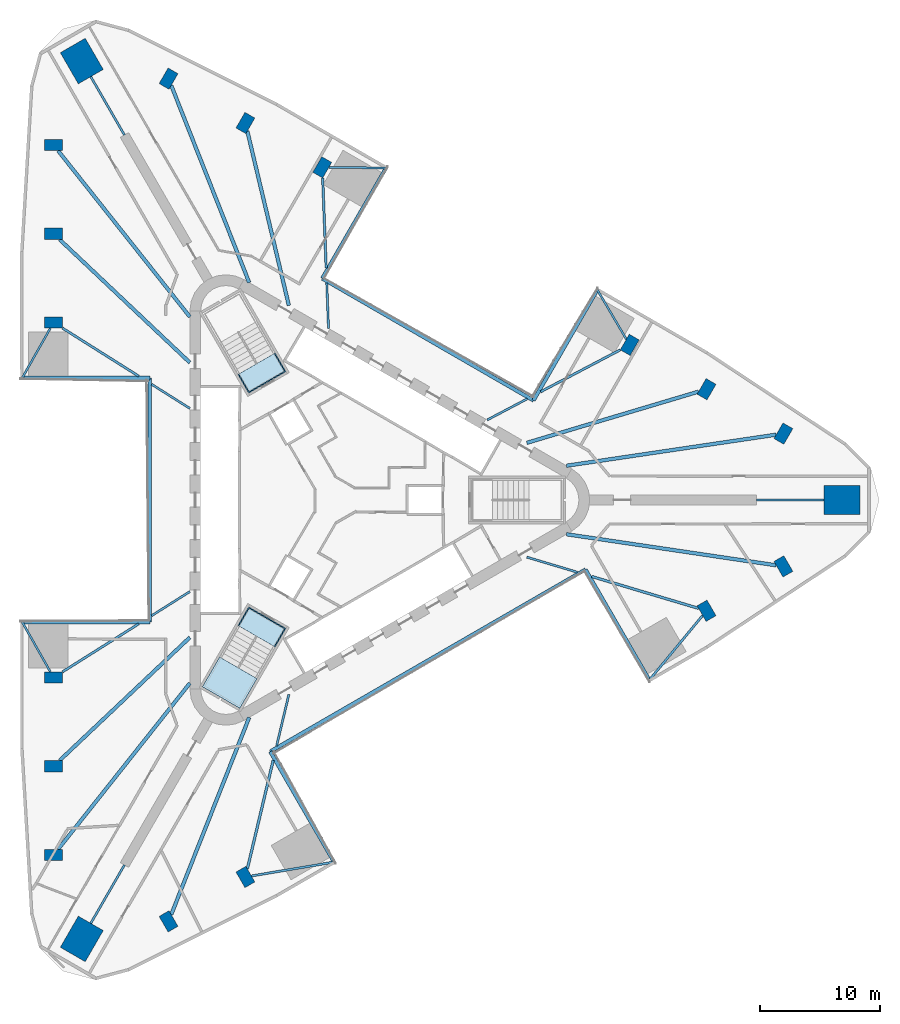
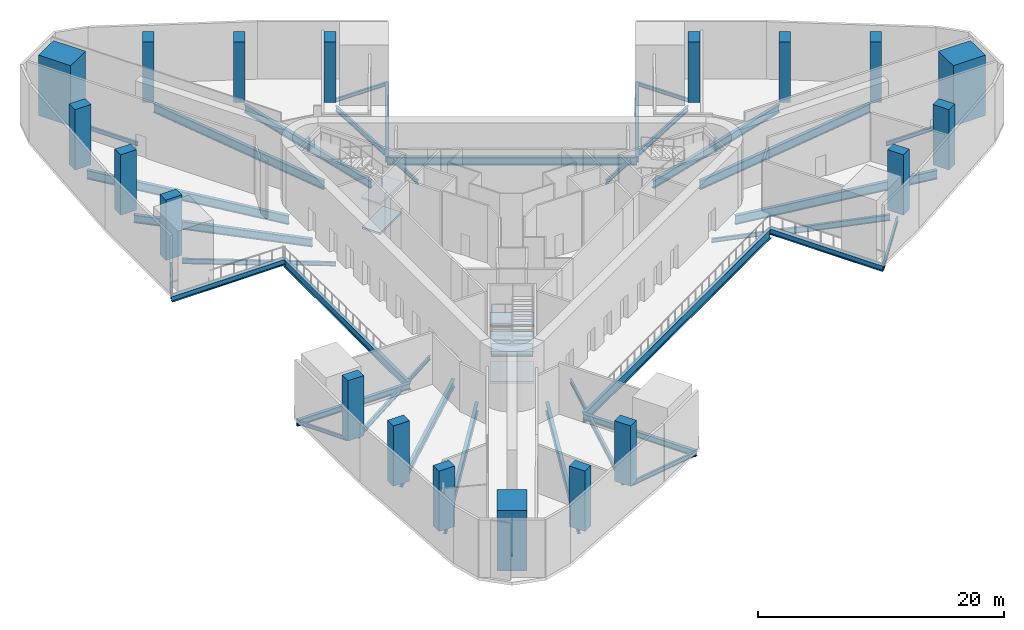
# One storey, part 1 of 11: 40 beams, 19 columns, 6 slabs, 2 elements without a shape of their own.
"""IFC4 building model written with IfcOpenShell, lengths in metres."""

from ifc_helpers import new_model, si_unit, direction, frame, origin, origin_2d, place, context, subcontext, project, spatial, polyline, rectangle, i_section, outline, extrude, material, layer, layer_set, material_profile, profile_set, type_object, element, aggregate, save


model = new_model("IFC4")

# Units and contexts
model_context = context("Model", 3, precision=1e-05, world=origin(), true_north=direction((0.0, 1.0)))
body_context = subcontext(model_context, "Body", "Model", "MODEL_VIEW")
ifc_project = project(units=[si_unit("LENGTHUNIT", "METRE"), si_unit("AREAUNIT", "SQUARE_METRE"), si_unit("VOLUMEUNIT", "CUBIC_METRE"), si_unit("PLANEANGLEUNIT", "RADIAN"), si_unit("MASSUNIT", "GRAM", prefix="KILO")], contexts=[model_context])

# Site, building, storey
site_placement = place(None, origin())
site = spatial("IfcSite", under=ifc_project, at=site_placement, CompositionType="ELEMENT")
building_placement = place(site_placement, origin())
building = spatial("IfcBuilding", under=site, at=building_placement, Name="Tanit Gate Tower", CompositionType="ELEMENT")
storey_placement = place(building_placement, frame((0.0, 0.0, 21.5)))
storey = spatial("IfcBuildingStorey", under=building, at=storey_placement, Name="L03", CompositionType="ELEMENT", Elevation=21.5)

# Columns
ifc_material_1 = material(Name="Concrete C80/95", Category="concrete")
ifc_material_profile_1 = material_profile(ifc_material_1, rectangle(XDim=3.0, YDim=2.39990234375, at=origin_2d()), Name="RC 3000x2400")
ifc_profile_set_1 = profile_set([ifc_material_profile_1], Name="Concrete C80/95")
column_type_1 = type_object("IfcColumnType", Name="MEGA COLUMN 3000x2400 C80/95", PredefinedType="COLUMN", material=ifc_profile_set_1)
for number, where, z_axis, x_axis, name in (
    (1, (42.211181640625, 0.0, 0.0), (0.0, 0.0, 1.0), (1.0, 0.0, 0.0), "MEGA COLUMN"),
    (2, (-21.105712890625, 36.555908203125, 0.0), (0.0, 0.0, 1.0), (-0.5, 0.866025403784, 0.0), "MEGA COLUMN"),
    (3, (-21.105712890625, -36.555908203125, 0.0), (0.0, 0.0, 1.0), (-0.5, -0.866025403784, 0.0), "MEGA COLUMN"),
):
    element("IfcColumn", number, at=place(storey_placement, frame(where, z_axis=z_axis, x_axis=x_axis)), inside=storey, type_object=column_type_1, Name=name, PredefinedType="COLUMN", context=body_context, shape_type="SweptSolid", body=[
        extrude(rectangle(XDim=3.0, YDim=2.39990234375, at=origin_2d()), origin(), (0.0, 0.0, 1.0), 6.0),
    ])
ifc_material_2 = material(Name="Concrete C70/85", Category="concrete")
ifc_material_profile_2 = material_profile(ifc_material_2, rectangle(XDim=1.5, YDim=0.949951171875, at=origin_2d()), Name="RC 1500x950")
ifc_profile_set_2 = profile_set([ifc_material_profile_2], Name="Concrete C70/85")
column_type_2 = type_object("IfcColumnType", Name="PERIMETER COLUMN 1500x950 C70/85", PredefinedType="COLUMN", material=ifc_profile_set_2)
for number, where, z_axis, x_axis, name in (
    (4, (-23.453369140625, 29.56591796875, 0.0), (0.0, 0.0, 1.0), (-1.0, 0.0, 0.0), "PERIMETER COLUMN"),
    (5, (-23.453369140625, 22.17431640625, 0.0), (0.0, 0.0, 1.0), (-1.0, 0.0, 0.0), "PERIMETER COLUMN"),
    (6, (-23.453369140625, 14.782958984375, 0.0), (0.0, 0.0, 1.0), (-1.0, 0.0, 0.0), "PERIMETER COLUMN"),
    (7, (-23.453369140625, -14.782958984375, 0.0), (0.0, 0.0, 1.0), (-1.0, 0.0, 0.0), "PERIMETER COLUMN"),
    (8, (-23.453369140625, -22.17431640625, 0.0), (0.0, 0.0, 1.0), (-1.0, 0.0, 0.0), "PERIMETER COLUMN"),
    (9, (-23.453369140625, -29.56591796875, 0.0), (0.0, 0.0, 1.0), (-1.0, 0.0, 0.0), "PERIMETER COLUMN"),
    (10, (37.331298828125, 5.5283203125, 0.0), (0.0, 0.0, 1.0), (0.5, 0.866025403784, 0.0), "PERIMETER COLUMN"),
    (11, (30.930419921875, 9.22412109375, 0.0), (0.0, 0.0, 1.0), (0.5, 0.866025403784, 0.0), "PERIMETER COLUMN"),
    (12, (24.529052734375, 12.919921875, 0.0), (0.0, 0.0, 1.0), (0.5, 0.866025403784, 0.0), "PERIMETER COLUMN"),
    (13, (-1.07568359375, 27.70263671875, 0.0), (0.0, 0.0, 1.0), (0.5, 0.866025403784, 0.0), "PERIMETER COLUMN"),
    (14, (-7.476806640625, 31.3984375, 0.0), (0.0, 0.0, 1.0), (0.5, 0.866025403784, 0.0), "PERIMETER COLUMN"),
    (15, (-13.8779296875, 35.093994140625, 0.0), (0.0, 0.0, 1.0), (0.5, 0.866025403784, 0.0), "PERIMETER COLUMN"),
    (16, (-13.8779296875, -35.093994140625, 0.0), (0.0, 0.0, 1.0), (0.5, -0.866025403784, 0.0), "PERIMETER COLUMN"),
    (17, (-7.476806640625, -31.3984375, 0.0), (0.0, 0.0, 1.0), (0.5, -0.866025403784, 0.0), "PERIMETER COLUMN"),
    (18, (30.930419921875, -9.22412109375, 0.0), (0.0, 0.0, 1.0), (0.5, -0.866025403784, 0.0), "PERIMETER COLUMN"),
    (19, (37.331298828125, -5.5283203125, 0.0), (0.0, 0.0, 1.0), (0.5, -0.866025403784, 0.0), "PERIMETER COLUMN"),
):
    element("IfcColumn", number, at=place(storey_placement, frame(where, z_axis=z_axis, x_axis=x_axis)), inside=storey, type_object=column_type_2, Name=name, PredefinedType="COLUMN", context=body_context, shape_type="SweptSolid", body=[
        extrude(rectangle(XDim=1.5, YDim=0.949951171875, at=origin_2d()), origin(), (0.0, 0.0, 1.0), 6.0),
    ])

# Beams
ifc_material_3 = material(Name="Steel S355", Category="steel")
ifc_material_profile_3 = material_profile(ifc_material_3, i_section(OverallWidth=0.300048828125, OverallDepth=0.590087890625, WebThickness=0.012939453125, FlangeThickness=0.02490234375, FilletRadius=0.027099609375, at=origin_2d()), Name="HEA 600")
ifc_profile_set_3 = profile_set([ifc_material_profile_3], Name="Steel S355")
beam_type_1 = type_object("IfcBeamType", Name="EDGE BEAM HEA 600 S355", PredefinedType="BEAM", material=ifc_profile_set_3)
beam_1_placement = place(storey_placement, frame((26.16259765625, -14.9951171875, -0.594970703125), z_axis=(-0.500000853759, 0.866024910866, 0.0), x_axis=(-0.866024910866, -0.500000853759, 0.0)))
element("IfcBeam", 20, at=beam_1_placement, inside=storey, type_object=beam_type_1, Name="EDGE BEAM", PredefinedType="BEAM", context=body_context, shape_type="SweptSolid", body=[
    extrude(i_section(OverallWidth=0.300048828125, OverallDepth=0.590087890625, WebThickness=0.012939453125, FlangeThickness=0.02490234375, FilletRadius=0.027099609375, at=origin_2d()), origin(), (0.0, 0.0, 1.0), 10.62744140625),
])
beam_2_placement = place(storey_placement, frame((-5.408935546875, -20.951416015625, -0.594970703125), z_axis=(0.500000139537, -0.866025323223, 0.0), x_axis=(0.866025323223, 0.500000139537, 0.0)))
element("IfcBeam", 21, at=beam_2_placement, inside=storey, type_object=beam_type_1, Name="EDGE BEAM", PredefinedType="BEAM", context=body_context, shape_type="SweptSolid", body=[
    extrude(i_section(OverallWidth=0.300048828125, OverallDepth=0.590087890625, WebThickness=0.012939453125, FlangeThickness=0.02490234375, FilletRadius=0.027099609375, at=origin_2d()), origin(), (0.0, 0.0, 1.0), 10.62939453125),
])
beam_3_placement = place(storey_placement, frame((-26.067626953125, -10.159912109375, -0.594970703125), z_axis=(1.0, 0.0, 0.0), x_axis=(0.0, 1.0, 0.0)))
element("IfcBeam", 22, at=beam_3_placement, inside=storey, type_object=beam_type_1, Name="EDGE BEAM", PredefinedType="BEAM", context=body_context, shape_type="SweptSolid", body=[
    extrude(i_section(OverallWidth=0.300048828125, OverallDepth=0.590087890625, WebThickness=0.012939453125, FlangeThickness=0.02490234375, FilletRadius=0.027099609375, at=origin_2d()), origin(), (0.0, 0.0, 1.0), 10.627685546875),
])
beam_4_placement = place(storey_placement, frame((-15.43994140625, 10.159912109375, -0.594970703125), z_axis=(-1.0, 0.0, 0.0), x_axis=(0.0, -1.0, 0.0)))
element("IfcBeam", 23, at=beam_4_placement, inside=storey, type_object=beam_type_1, Name="EDGE BEAM", PredefinedType="BEAM", context=body_context, shape_type="SweptSolid", body=[
    extrude(i_section(OverallWidth=0.300048828125, OverallDepth=0.590087890625, WebThickness=0.012939453125, FlangeThickness=0.02490234375, FilletRadius=0.027099609375, at=origin_2d()), origin(), (0.0, 0.0, 1.0), 10.629150390625),
])
beam_5_placement = place(storey_placement, frame((4.235107421875, 27.6552734375, -0.594970703125), z_axis=(-0.500008135536, -0.866020706679, 0.0), x_axis=(0.866020706679, -0.500008135536, 0.0)))
element("IfcBeam", 24, at=beam_5_placement, inside=storey, type_object=beam_type_1, Name="EDGE BEAM", PredefinedType="BEAM", context=body_context, shape_type="SweptSolid", body=[
    extrude(i_section(OverallWidth=0.300048828125, OverallDepth=0.590087890625, WebThickness=0.012939453125, FlangeThickness=0.02490234375, FilletRadius=0.027099609375, at=origin_2d()), origin(), (0.0, 0.0, 1.0), 10.627685546875),
])
beam_6_placement = place(storey_placement, frame((16.518798828125, 8.29150390625, -0.594970703125), z_axis=(0.500010085333, 0.866019580936, 0.0), x_axis=(-0.866019580936, 0.500010085333, 0.0)))
element("IfcBeam", 25, at=beam_6_placement, inside=storey, type_object=beam_type_1, Name="EDGE BEAM", PredefinedType="BEAM", context=body_context, shape_type="SweptSolid", body=[
    extrude(i_section(OverallWidth=0.300048828125, OverallDepth=0.590087890625, WebThickness=0.012939453125, FlangeThickness=0.02490234375, FilletRadius=0.027099609375, at=origin_2d()), origin(), (0.0, 0.0, 1.0), 10.629150390625),
])
ifc_material_4 = material(Name="Steel S355", Category="steel")
ifc_material_profile_4 = material_profile(ifc_material_4, i_section(OverallWidth=0.300048828125, OverallDepth=0.7900390625, WebThickness=0.014892578125, FlangeThickness=0.028076171875, FilletRadius=0.030029296875, at=origin_2d()), Name="HEA 800")
ifc_profile_set_4 = profile_set([ifc_material_profile_4], Name="Steel S355")
beam_type_2 = type_object("IfcBeamType", Name="EDGE BEAM HEA 800 S355", PredefinedType="BEAM", material=ifc_profile_set_4)
beam_7_placement = place(storey_placement, frame((-15.43994140625, -10.159912109375, -0.695068359375), z_axis=(0.0, 1.0, 0.0), x_axis=(-1.0, 0.0, 0.0)))
element("IfcBeam", 26, at=beam_7_placement, inside=storey, type_object=beam_type_2, Name="EDGE BEAM", PredefinedType="BEAM", context=body_context, shape_type="SweptSolid", body=[
    extrude(i_section(OverallWidth=0.300048828125, OverallDepth=0.7900390625, WebThickness=0.014892578125, FlangeThickness=0.028076171875, FilletRadius=0.030029296875, at=origin_2d()), origin(), (0.0, 0.0, 1.0), 20.31982421875),
])
beam_8_placement = place(storey_placement, frame((-1.078857421875, 18.451416015625, -0.695068359375), z_axis=(0.866027523318, -0.499996328842, 0.0), x_axis=(0.499996328842, 0.866027523318, 0.0)))
element("IfcBeam", 27, at=beam_8_placement, inside=storey, type_object=beam_type_2, Name="EDGE BEAM", PredefinedType="BEAM", context=body_context, shape_type="SweptSolid", body=[
    extrude(i_section(OverallWidth=0.300048828125, OverallDepth=0.7900390625, WebThickness=0.014892578125, FlangeThickness=0.028076171875, FilletRadius=0.030029296875, at=origin_2d()), origin(), (0.0, 0.0, 1.0), 20.320068359375),
])
ifc_material_5 = material(Name="Steel S355", Category="steel")
ifc_material_profile_5 = material_profile(ifc_material_5, i_section(OverallWidth=0.300048828125, OverallDepth=1.0, WebThickness=0.01904296875, FlangeThickness=0.035888671875, FilletRadius=0.030029296875, at=origin_2d()), Name="HEB 1000")
ifc_profile_set_5 = profile_set([ifc_material_profile_5], Name="Steel S355")
beam_type_3 = type_object("IfcBeamType", Name="EDGE BEAM HEB 1000 S355", PredefinedType="BEAM", material=ifc_profile_set_5)
beam_9_placement = place(storey_placement, frame((20.848876953125, -5.79150390625, -0.800048828125), z_axis=(-0.86602601797, -0.499998936197, 0.0), x_axis=(0.499998936197, -0.86602601797, 0.0)))
element("IfcBeam", 28, at=beam_9_placement, inside=storey, type_object=beam_type_3, Name="EDGE BEAM", PredefinedType="BEAM", context=body_context, shape_type="SweptSolid", body=[
    extrude(i_section(OverallWidth=0.300048828125, OverallDepth=1.0, WebThickness=0.01904296875, FlangeThickness=0.035888671875, FilletRadius=0.030029296875, at=origin_2d()), origin(), (0.0, 0.0, 1.0), 30.31982421875),
])
ifc_material_6 = material(Name="Steel S355", Category="steel")
ifc_material_profile_6 = material_profile(ifc_material_6, i_section(OverallWidth=0.300048828125, OverallDepth=0.7900390625, WebThickness=0.014892578125, FlangeThickness=0.028076171875, FilletRadius=0.030029296875, at=origin_2d()), Name="HEA 800")
ifc_profile_set_6 = profile_set([ifc_material_profile_6], Name="Steel S355")
beam_type_4 = type_object("IfcBeamType", Name="RADIAL GIRDER HEA 800 S355", PredefinedType="BEAM", material=ifc_profile_set_6)
for number, where, z_axis, x_axis, name in (
    (29, (-22.950927734375, -21.69921875, -0.695068359375), (0.726639827007, 0.687018603683, 0.0), (-0.687018603683, 0.726639827007, 0.0), "RADIAL GIRDER"),
    (30, (30.267578125, 9.026611328125, -0.695068359375), (-0.958292632116, -0.285788787801, 0.0), (0.285788787801, -0.958292632116, 0.0), "RADIAL GIRDER"),
):
    element("IfcBeam", number, at=place(storey_placement, frame(where, z_axis=z_axis, x_axis=x_axis)), inside=storey, type_object=beam_type_4, Name=name, PredefinedType="BEAM", context=body_context, shape_type="SweptSolid", body=[
        extrude(i_section(OverallWidth=0.300048828125, OverallDepth=0.7900390625, WebThickness=0.014892578125, FlangeThickness=0.028076171875, FilletRadius=0.030029296875, at=origin_2d()), origin(), (0.0, 0.0, 1.0), 14.93017578125),
    ])
beam_10_placement = place(storey_placement, frame((-7.316650390625, 30.725830078125, -0.695068359375), z_axis=(0.231658845557, -0.972797090495, 0.0), x_axis=(0.972797090495, 0.231658845557, 0.0)))
element("IfcBeam", 31, at=beam_10_placement, inside=storey, type_object=beam_type_4, Name="RADIAL GIRDER", PredefinedType="BEAM", context=body_context, shape_type="SweptSolid", body=[
    extrude(i_section(OverallWidth=0.300048828125, OverallDepth=0.7900390625, WebThickness=0.014892578125, FlangeThickness=0.028076171875, FilletRadius=0.030029296875, at=origin_2d()), origin(), (0.0, 0.0, 1.0), 14.930419921875),
])
beam_11_placement = place(storey_placement, frame((-22.950927734375, 21.69921875, -0.695068359375), z_axis=(0.726639827007, -0.687018603683, 0.0), x_axis=(0.687018603683, 0.726639827007, 0.0)))
element("IfcBeam", 32, at=beam_11_placement, inside=storey, type_object=beam_type_4, Name="RADIAL GIRDER", PredefinedType="BEAM", context=body_context, shape_type="SweptSolid", body=[
    extrude(i_section(OverallWidth=0.300048828125, OverallDepth=0.7900390625, WebThickness=0.014892578125, FlangeThickness=0.028076171875, FilletRadius=0.030029296875, at=origin_2d()), origin(), (0.0, 0.0, 1.0), 14.93017578125),
])
ifc_material_7 = material(Name="Steel S355", Category="steel")
ifc_material_profile_7 = material_profile(ifc_material_7, i_section(OverallWidth=0.300048828125, OverallDepth=0.889892578125, WebThickness=0.01611328125, FlangeThickness=0.030029296875, FilletRadius=0.030029296875, at=origin_2d()), Name="HEA 900")
ifc_profile_set_7 = profile_set([ifc_material_profile_7], Name="Steel S355")
beam_type_5 = type_object("IfcBeamType", Name="RADIAL GIRDER HEA 900 S355", PredefinedType="BEAM", material=ifc_profile_set_7)
for number, where, z_axis, x_axis, name in (
    (33, (-23.07666015625, -29.0908203125, -0.7451171875), (0.621472845829, 0.783435703742, 0.0), (-0.783435703742, 0.621472845829, 0.0), "RADIAL GIRDER"),
    (34, (-13.655029296875, -34.5302734375, -0.7451171875), (0.36773841244, 0.929929276889, 0.0), (-0.929929276889, 0.36773841244, 0.0), "RADIAL GIRDER"),
    (35, (36.731689453125, -5.439697265625, -0.7451171875), (-0.98921177448, 0.146492543254, 0.0), (-0.146492543254, -0.98921177448, 0.0), "RADIAL GIRDER"),
    (36, (36.731689453125, 5.439697265625, -0.7451171875), (-0.98921177448, -0.146492543254, 0.0), (0.146492543254, -0.98921177448, 0.0), "RADIAL GIRDER"),
    (37, (-13.655029296875, 34.5302734375, -0.7451171875), (0.36773841244, -0.929929276889, 0.0), (0.929929276889, 0.36773841244, 0.0), "RADIAL GIRDER"),
    (38, (-23.07666015625, 29.0908203125, -0.7451171875), (0.621472845829, -0.783435703742, 0.0), (0.783435703742, 0.621472845829, 0.0), "RADIAL GIRDER"),
):
    element("IfcBeam", number, at=place(storey_placement, frame(where, z_axis=z_axis, x_axis=x_axis)), inside=storey, type_object=beam_type_5, Name=name, PredefinedType="BEAM", context=body_context, shape_type="SweptSolid", body=[
        extrude(i_section(OverallWidth=0.300048828125, OverallDepth=0.889892578125, WebThickness=0.01611328125, FlangeThickness=0.030029296875, FilletRadius=0.030029296875, at=origin_2d()), origin(), (0.0, 0.0, 1.0), 17.658935546875),
    ])
ifc_material_8 = material(Name="Steel S355", Category="steel")
ifc_material_profile_8 = material_profile(ifc_material_8, i_section(OverallWidth=0.179931640625, OverallDepth=0.39990234375, WebThickness=0.008544921875, FlangeThickness=0.013427734375, FilletRadius=0.02099609375, at=origin_2d()), Name="IPE 400")
ifc_profile_set_8 = profile_set([ifc_material_profile_8], Name="Steel S355")
beam_type_6 = type_object("IfcBeamType", Name="RADIAL GIRDER IPE 400 S355", PredefinedType="BEAM", material=ifc_profile_set_8)
beam_12_placement = place(storey_placement, frame((-15.291748046875, -9.638427734375, -0.5), z_axis=(0.845973226432, 0.53322537464, 0.0), x_axis=(-0.53322537464, 0.845973226432, 0.0)))
element("IfcBeam", 39, at=beam_12_placement, inside=storey, type_object=beam_type_6, Name="RADIAL GIRDER", PredefinedType="BEAM", context=body_context, shape_type="SweptSolid", body=[
    extrude(i_section(OverallWidth=0.179931640625, OverallDepth=0.39990234375, WebThickness=0.008544921875, FlangeThickness=0.013427734375, FilletRadius=0.02099609375, at=origin_2d()), origin(), (0.0, 0.0, 1.0), 3.7705078125),
])
beam_13_placement = place(storey_placement, frame((-20.355712890625, -35.257080078125, -0.5), z_axis=(0.500016430238, 0.866015917575, 0.0), x_axis=(-0.866015917575, 0.500016430238, 0.0)))
element("IfcBeam", 40, at=beam_13_placement, inside=storey, type_object=beam_type_6, Name="RADIAL GIRDER", PredefinedType="BEAM", context=body_context, shape_type="SweptSolid", body=[
    extrude(i_section(OverallWidth=0.179931640625, OverallDepth=0.39990234375, WebThickness=0.008544921875, FlangeThickness=0.013427734375, FilletRadius=0.02099609375, at=origin_2d()), origin(), (0.0, 0.0, 1.0), 5.607177734375),
])
beam_14_placement = place(storey_placement, frame((-4.874755859375, -20.471435546875, -0.5), z_axis=(0.231670659503, 0.972794277083, 0.0), x_axis=(-0.972794277083, 0.231670659503, 0.0)))
element("IfcBeam", 41, at=beam_14_placement, inside=storey, type_object=beam_type_6, Name="RADIAL GIRDER", PredefinedType="BEAM", context=body_context, shape_type="SweptSolid", body=[
    extrude(i_section(OverallWidth=0.179931640625, OverallDepth=0.39990234375, WebThickness=0.008544921875, FlangeThickness=0.013427734375, FilletRadius=0.02099609375, at=origin_2d()), origin(), (0.0, 0.0, 1.0), 4.38916015625),
])
beam_15_placement = place(storey_placement, frame((20.164306640625, -6.013427734375, -0.5), z_axis=(-0.958299792867, 0.285764775631, 0.0), x_axis=(-0.285764775631, -0.958299792867, 0.0)))
element("IfcBeam", 42, at=beam_15_placement, inside=storey, type_object=beam_type_6, Name="RADIAL GIRDER", PredefinedType="BEAM", context=body_context, shape_type="SweptSolid", body=[
    extrude(i_section(OverallWidth=0.179931640625, OverallDepth=0.39990234375, WebThickness=0.008544921875, FlangeThickness=0.013427734375, FilletRadius=0.02099609375, at=origin_2d()), origin(), (0.0, 0.0, 1.0), 4.386962890625),
])
beam_16_placement = place(storey_placement, frame((40.711181640625, 0.0, -0.5), z_axis=(-1.0, 0.0, 0.0), x_axis=(0.0, -1.0, 0.0)))
element("IfcBeam", 43, at=beam_16_placement, inside=storey, type_object=beam_type_6, Name="RADIAL GIRDER", PredefinedType="BEAM", context=body_context, shape_type="SweptSolid", body=[
    extrude(i_section(OverallWidth=0.179931640625, OverallDepth=0.39990234375, WebThickness=0.008544921875, FlangeThickness=0.013427734375, FilletRadius=0.02099609375, at=origin_2d()), origin(), (0.0, 0.0, 1.0), 5.607177734375),
])
for number, where, z_axis, x_axis, name in (
    (44, (15.9912109375, 8.4228515625, -0.5), (-0.884755154197, -0.46605613087, 0.0), (0.46605613087, -0.884755154197, 0.0), "RADIAL GIRDER"),
    (45, (-0.701416015625, 18.060302734375, -0.5), (0.038806328041, -0.99924675076, 0.0), (0.99924675076, 0.038806328041, 0.0), "RADIAL GIRDER"),
):
    element("IfcBeam", number, at=place(storey_placement, frame(where, z_axis=z_axis, x_axis=x_axis)), inside=storey, type_object=beam_type_6, Name=name, PredefinedType="BEAM", context=body_context, shape_type="SweptSolid", body=[
        extrude(i_section(OverallWidth=0.179931640625, OverallDepth=0.39990234375, WebThickness=0.008544921875, FlangeThickness=0.013427734375, FilletRadius=0.02099609375, at=origin_2d()), origin(), (0.0, 0.0, 1.0), 3.7685546875),
    ])
beam_17_placement = place(storey_placement, frame((-20.355712890625, 35.257080078125, -0.5), z_axis=(0.500016430238, -0.866015917575, 0.0), x_axis=(0.866015917575, 0.500016430238, 0.0)))
element("IfcBeam", 46, at=beam_17_placement, inside=storey, type_object=beam_type_6, Name="RADIAL GIRDER", PredefinedType="BEAM", context=body_context, shape_type="SweptSolid", body=[
    extrude(i_section(OverallWidth=0.179931640625, OverallDepth=0.39990234375, WebThickness=0.008544921875, FlangeThickness=0.013427734375, FilletRadius=0.02099609375, at=origin_2d()), origin(), (0.0, 0.0, 1.0), 5.607177734375),
])
beam_18_placement = place(storey_placement, frame((-15.291748046875, 9.638427734375, -0.5), z_axis=(0.845973226432, -0.53322537464, 0.0), x_axis=(0.53322537464, 0.845973226432, 0.0)))
element("IfcBeam", 47, at=beam_18_placement, inside=storey, type_object=beam_type_6, Name="RADIAL GIRDER", PredefinedType="BEAM", context=body_context, shape_type="SweptSolid", body=[
    extrude(i_section(OverallWidth=0.179931640625, OverallDepth=0.39990234375, WebThickness=0.008544921875, FlangeThickness=0.013427734375, FilletRadius=0.02099609375, at=origin_2d()), origin(), (0.0, 0.0, 1.0), 3.7705078125),
])
ifc_material_9 = material(Name="Steel S355", Category="steel")
ifc_material_profile_9 = material_profile(ifc_material_9, i_section(OverallWidth=0.199951171875, OverallDepth=0.5, WebThickness=0.01025390625, FlangeThickness=0.01611328125, FilletRadius=0.02099609375, at=origin_2d()), Name="IPE 500")
ifc_profile_set_9 = profile_set([ifc_material_profile_9], Name="Steel S355")
beam_type_7 = type_object("IfcBeamType", Name="RADIAL GIRDER IPE 500 S355", PredefinedType="BEAM", material=ifc_profile_set_9)
beam_19_placement = place(storey_placement, frame((-22.705078125, -14.311279296875, -0.550048828125), z_axis=(0.845977927567, 0.533217916118, 0.0), x_axis=(-0.533217916118, 0.845977927567, 0.0)))
element("IfcBeam", 48, at=beam_19_placement, inside=storey, type_object=beam_type_7, Name="RADIAL GIRDER", PredefinedType="BEAM", context=body_context, shape_type="SweptSolid", body=[
    extrude(i_section(OverallWidth=0.199951171875, OverallDepth=0.5, WebThickness=0.01025390625, FlangeThickness=0.01611328125, FilletRadius=0.02099609375, at=origin_2d()), origin(), (0.0, 0.0, 1.0), 7.50390625),
])
for number, where, z_axis, x_axis, name in (
    (49, (23.74462890625, 12.506591796875, -0.550048828125), (-0.884769930034, -0.466028079527, 0.0), (0.466028079527, -0.884769930034, 0.0), "RADIAL GIRDER"),
    (50, (-1.041259765625, 26.81689453125, -0.550048828125), (0.038791818871, -0.999247314126, 0.0), (0.999247314126, 0.038791818871, 0.0), "RADIAL GIRDER"),
):
    element("IfcBeam", number, at=place(storey_placement, frame(where, z_axis=z_axis, x_axis=x_axis)), inside=storey, type_object=beam_type_7, Name=name, PredefinedType="BEAM", context=body_context, shape_type="SweptSolid", body=[
        extrude(i_section(OverallWidth=0.199951171875, OverallDepth=0.5, WebThickness=0.01025390625, FlangeThickness=0.01611328125, FilletRadius=0.02099609375, at=origin_2d()), origin(), (0.0, 0.0, 1.0), 7.501953125),
    ])
beam_20_placement = place(storey_placement, frame((-22.705078125, 14.311279296875, -0.550048828125), z_axis=(0.845977927567, -0.533217916118, 0.0), x_axis=(0.533217916118, 0.845977927567, 0.0)))
element("IfcBeam", 51, at=beam_20_placement, inside=storey, type_object=beam_type_7, Name="RADIAL GIRDER", PredefinedType="BEAM", context=body_context, shape_type="SweptSolid", body=[
    extrude(i_section(OverallWidth=0.199951171875, OverallDepth=0.5, WebThickness=0.01025390625, FlangeThickness=0.01611328125, FilletRadius=0.02099609375, at=origin_2d()), origin(), (0.0, 0.0, 1.0), 7.50390625),
])
ifc_material_10 = material(Name="Steel S355", Category="steel")
ifc_material_profile_10 = material_profile(ifc_material_10, i_section(OverallWidth=0.219970703125, OverallDepth=0.60009765625, WebThickness=0.011962890625, FlangeThickness=0.01904296875, FilletRadius=0.02392578125, at=origin_2d()), Name="IPE 600")
ifc_profile_set_10 = profile_set([ifc_material_profile_10], Name="Steel S355")
beam_type_8 = type_object("IfcBeamType", Name="RADIAL GIRDER IPE 600 S355", PredefinedType="BEAM", material=ifc_profile_set_10)
for number, where, z_axis, x_axis, name in (
    (52, (-7.316650390625, -30.725830078125, -0.60009765625), (0.231643004364, 0.97280086273, 0.0), (-0.97280086273, 0.231643004364, 0.0), "RADIAL GIRDER"),
    (53, (30.267578125, -9.026611328125, -0.60009765625), (-0.958288896011, 0.285801315222, 0.0), (-0.285801315222, -0.958288896011, 0.0), "RADIAL GIRDER"),
):
    element("IfcBeam", number, at=place(storey_placement, frame(where, z_axis=z_axis, x_axis=x_axis)), inside=storey, type_object=beam_type_8, Name=name, PredefinedType="BEAM", context=body_context, shape_type="SweptSolid", body=[
        extrude(i_section(OverallWidth=0.219970703125, OverallDepth=0.60009765625, WebThickness=0.011962890625, FlangeThickness=0.01904296875, FilletRadius=0.02392578125, at=origin_2d()), origin(), (0.0, 0.0, 1.0), 9.300048828125),
    ])
ifc_material_11 = material(Name="Steel S355", Category="steel")
ifc_material_profile_11 = material_profile(ifc_material_11, i_section(OverallWidth=0.169921875, OverallDepth=0.360107421875, WebThickness=0.008056640625, FlangeThickness=0.0126953125, FilletRadius=0.01806640625, at=origin_2d()), Name="IPE 360")
ifc_profile_set_11 = profile_set([ifc_material_profile_11], Name="Steel S355")
beam_type_9 = type_object("IfcBeamType", Name="RING BEAM IPE 360 S355", PredefinedType="BEAM", material=ifc_profile_set_11)
beam_21_placement = place(storey_placement, frame((-26.067626953125, -10.159912109375, -0.47998046875), z_axis=(0.49224969988, -0.870454038401, 0.0), x_axis=(0.870454038401, 0.49224969988, 0.0)))
element("IfcBeam", 54, at=beam_21_placement, inside=storey, type_object=beam_type_9, Name="RING BEAM", PredefinedType="BEAM", context=body_context, shape_type="SweptSolid", body=[
    extrude(i_section(OverallWidth=0.169921875, OverallDepth=0.360107421875, WebThickness=0.008056640625, FlangeThickness=0.0126953125, FilletRadius=0.01806640625, at=origin_2d()), origin(), (0.0, 0.0, 1.0), 4.765380859375),
])
beam_22_placement = place(storey_placement, frame((-26.069091796875, 10.159912109375, -0.47998046875), z_axis=(0.492443758084, 0.870344268163, 0.0), x_axis=(-0.870344268163, 0.492443758084, 0.0)))
element("IfcBeam", 55, at=beam_22_placement, inside=storey, type_object=beam_type_9, Name="RING BEAM", PredefinedType="BEAM", context=body_context, shape_type="SweptSolid", body=[
    extrude(i_section(OverallWidth=0.169921875, OverallDepth=0.360107421875, WebThickness=0.008056640625, FlangeThickness=0.0126953125, FilletRadius=0.01806640625, at=origin_2d()), origin(), (0.0, 0.0, 1.0), 4.765869140625),
])
beam_23_placement = place(storey_placement, frame((4.235107421875, 27.6552734375, -0.47998046875), z_axis=(-0.999960265112, 0.008914493602, 0.0), x_axis=(-0.008914493602, -0.999960265112, 0.0)))
element("IfcBeam", 56, at=beam_23_placement, inside=storey, type_object=beam_type_9, Name="RING BEAM", PredefinedType="BEAM", context=body_context, shape_type="SweptSolid", body=[
    extrude(i_section(OverallWidth=0.169921875, OverallDepth=0.360107421875, WebThickness=0.008056640625, FlangeThickness=0.0126953125, FilletRadius=0.01806640625, at=origin_2d()), origin(), (0.0, 0.0, 1.0), 4.765380859375),
])
beam_24_placement = place(storey_placement, frame((21.83349609375, 17.49658203125, -0.47998046875), z_axis=(0.507510326773, -0.861645674404, 0.0), x_axis=(0.861645674404, 0.507510326773, 0.0)))
element("IfcBeam", 57, at=beam_24_placement, inside=storey, type_object=beam_type_9, Name="RING BEAM", PredefinedType="BEAM", context=body_context, shape_type="SweptSolid", body=[
    extrude(i_section(OverallWidth=0.169921875, OverallDepth=0.360107421875, WebThickness=0.008056640625, FlangeThickness=0.0126953125, FilletRadius=0.01806640625, at=origin_2d()), origin(), (0.0, 0.0, 1.0), 4.765869140625),
])
ifc_material_12 = material(Name="Steel S355", Category="steel")
ifc_material_profile_12 = material_profile(ifc_material_12, i_section(OverallWidth=0.18994140625, OverallDepth=0.449951171875, WebThickness=0.009521484375, FlangeThickness=0.0146484375, FilletRadius=0.02099609375, at=origin_2d()), Name="IPE 450")
ifc_profile_set_12 = profile_set([ifc_material_profile_12], Name="Steel S355")
beam_type_10 = type_object("IfcBeamType", Name="RING BEAM IPE 450 S355", PredefinedType="BEAM", material=ifc_profile_set_12)
beam_25_placement = place(storey_placement, frame((26.16259765625, -14.9951171875, -0.52490234375), z_axis=(0.636913089012, 0.770935611478, 0.0), x_axis=(-0.770935611478, 0.636913089012, 0.0)))
element("IfcBeam", 58, at=beam_25_placement, inside=storey, type_object=beam_type_10, Name="RING BEAM", PredefinedType="BEAM", context=body_context, shape_type="SweptSolid", body=[
    extrude(i_section(OverallWidth=0.18994140625, OverallDepth=0.449951171875, WebThickness=0.009521484375, FlangeThickness=0.0146484375, FilletRadius=0.02099609375, at=origin_2d()), origin(), (0.0, 0.0, 1.0), 6.978759765625),
])
beam_26_placement = place(storey_placement, frame((-0.09423828125, -30.15673828125, -0.52490234375), z_axis=(-0.986151777339, -0.165845325684, 0.0), x_axis=(0.165845325684, -0.986151777339, 0.0)))
element("IfcBeam", 59, at=beam_26_placement, inside=storey, type_object=beam_type_10, Name="RING BEAM", PredefinedType="BEAM", context=body_context, shape_type="SweptSolid", body=[
    extrude(i_section(OverallWidth=0.18994140625, OverallDepth=0.449951171875, WebThickness=0.009521484375, FlangeThickness=0.0146484375, FilletRadius=0.02099609375, at=origin_2d()), origin(), (0.0, 0.0, 1.0), 6.979248046875),
])

# Stair, slab
ifc_material_13 = material(Name="Concrete C40/50", Category="concrete")
stair_type = type_object("IfcStairType", Name="INT-STAIR-EXIT", PredefinedType="HALF_TURN_STAIR", material=ifc_material_13)
stair_1_placement = place(storey_placement, origin())
stair_1 = element("IfcStair", 60, at=stair_1_placement, inside=storey, type_object=stair_type, Name="L03 STAIR S2", PredefinedType="HALF_TURN_STAIR")
ifc_material_14 = material(Name="Concrete C40/50", Category="concrete")
ifc_layer = layer(ifc_material_14, 0.199951171875)
ifc_layer_set = layer_set([ifc_layer], Name="INT-STAIR-LANDING")
slab_type = type_object("IfcSlabType", Name="INT-STAIR-LANDING", PredefinedType="LANDING", material=ifc_layer_set)
slab_1_placement = place(storey_placement, frame((0.0, 0.0, 2.800048828125)))
slab_1 = element("IfcSlab", 61, at=slab_1_placement, type_object=slab_type, Name="S2 landing 2", PredefinedType="LANDING", context=body_context, shape_type="SweptSolid", body=[
    extrude(outline(polyline([(-4.091064453125, 10.68603515625), (-4.9931640625, 12.248291015625), (-8.11083984375, 10.448486328125), (-7.208740234375, 8.885986328125), (-4.091064453125, 10.68603515625)])), origin(), (0.0, 0.0, 1.0), 0.199951171875),
])
aggregate(stair_1, [slab_1])

# Slab
slab_2_placement = place(storey_placement, frame((0.0, 0.0, -0.199951171875)))
element("IfcSlab", 62, at=slab_2_placement, inside=storey, type_object=slab_type, Name="S2 floor landing", PredefinedType="LANDING", context=body_context, shape_type="SweptSolid", body=[
    extrude(outline(polyline([(-4.200439453125, 10.71533203125), (-5.0625, 12.20849609375), (-8.04150390625, 10.48828125), (-7.179443359375, 8.995361328125), (-4.200439453125, 10.71533203125)])), origin(), (0.0, 0.0, 1.0), 0.199951171875),
])

# Stair, slabs
stair_2_placement = place(storey_placement, origin())
stair_2 = element("IfcStair", 63, at=stair_2_placement, inside=storey, type_object=stair_type, Name="L03 STAIR S3", PredefinedType="HALF_TURN_STAIR")
slab_3_placement = place(storey_placement, frame((0.0, 0.0, 1.300048828125)))
slab_3 = element("IfcSlab", 64, at=slab_3_placement, type_object=slab_type, Name="S3 landing 1", PredefinedType="LANDING", context=body_context, shape_type="SweptSolid", body=[
    extrude(outline(polyline([(-9.626953125, -13.07421875), (-11.058837890625, -15.554443359375), (-7.941162109375, -17.3544921875), (-6.509033203125, -14.874267578125), (-9.626953125, -13.07421875)])), origin(), (0.0, 0.0, 1.0), 0.199951171875),
])
slab_4_placement = place(storey_placement, frame((0.0, 0.0, 2.800048828125)))
slab_4 = element("IfcSlab", 65, at=slab_4_placement, type_object=slab_type, Name="S3 landing 2", PredefinedType="LANDING", context=body_context, shape_type="SweptSolid", body=[
    extrude(outline(polyline([(-7.208740234375, -8.885986328125), (-8.111328125, -10.44921875), (-4.99365234375, -12.249267578125), (-4.091064453125, -10.68603515625), (-7.208740234375, -8.885986328125)])), origin(), (0.0, 0.0, 1.0), 0.199951171875),
])
slab_5_placement = place(storey_placement, frame((0.0, 0.0, 4.300048828125)))
slab_5 = element("IfcSlab", 66, at=slab_5_placement, type_object=slab_type, Name="S3 landing 3", PredefinedType="LANDING", context=body_context, shape_type="SweptSolid", body=[
    extrude(outline(polyline([(-9.626953125, -13.07421875), (-11.058837890625, -15.554443359375), (-7.941162109375, -17.3544921875), (-6.509033203125, -14.874267578125), (-9.626953125, -13.07421875)])), origin(), (0.0, 0.0, 1.0), 0.199951171875),
])
aggregate(stair_2, [slab_3, slab_4, slab_5])

# Slab
slab_6_placement = place(storey_placement, frame((0.0, 0.0, -0.199951171875)))
element("IfcSlab", 67, at=slab_6_placement, inside=storey, type_object=slab_type, Name="S3 floor landing", PredefinedType="LANDING", context=body_context, shape_type="SweptSolid", body=[
    extrude(outline(polyline([(-7.179443359375, -8.995361328125), (-8.0419921875, -10.4892578125), (-5.06298828125, -12.209228515625), (-4.200439453125, -10.71533203125), (-7.179443359375, -8.995361328125)])), origin(), (0.0, 0.0, 1.0), 0.199951171875),
])

save(model, "model.ifc")
